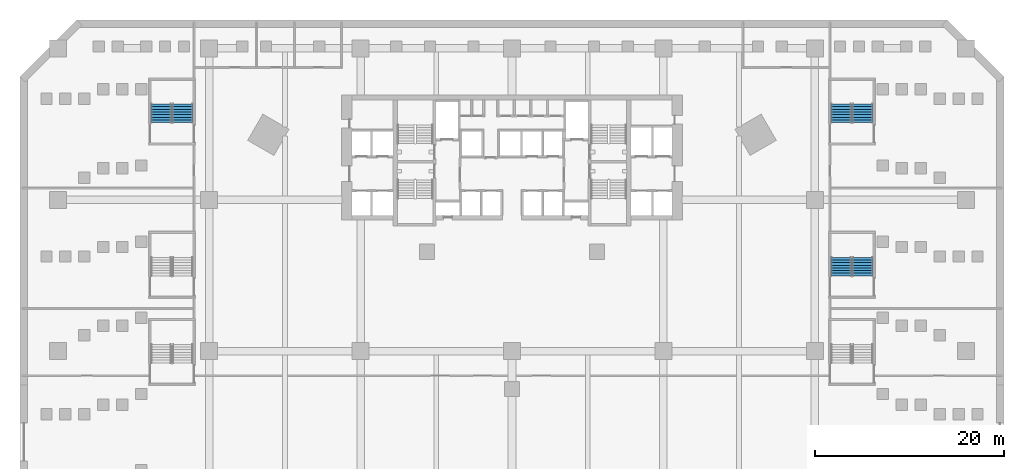
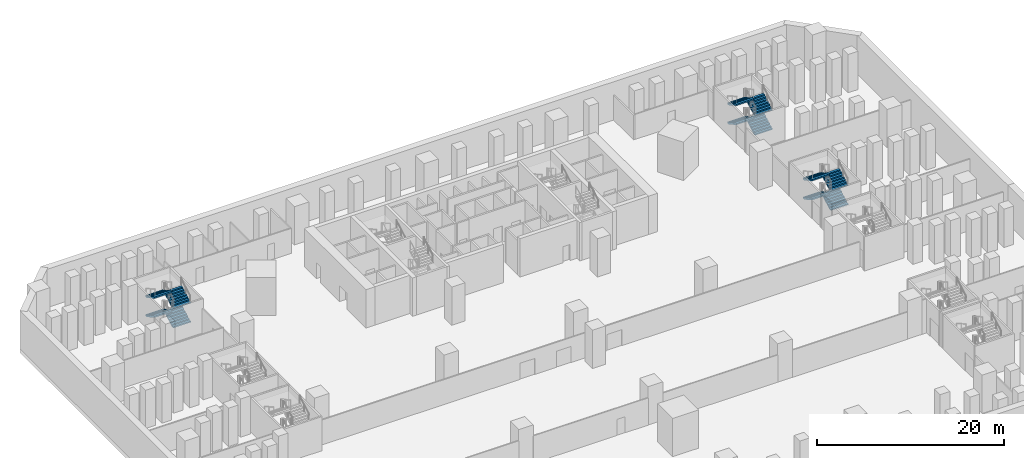
# One storey, part 17 of 24: 12 stair flights, 3 elements without a shape of their own.
"""IFC4 building model written with IfcOpenShell, lengths in metres."""

from ifc_helpers import new_model, si_unit, direction, frame, origin, place, context, subcontext, project, spatial, faceted_brep, source, transform, mapped, material, type_object, element, aggregate, save


model = new_model("IFC4")

# Units and contexts
model_context = context("Model", 3, precision=1e-05, world=origin(), true_north=direction((0.0, 1.0)))
body_context = subcontext(model_context, "Body", "Model", "MODEL_VIEW")
ifc_project = project(units=[si_unit("LENGTHUNIT", "METRE"), si_unit("AREAUNIT", "SQUARE_METRE"), si_unit("VOLUMEUNIT", "CUBIC_METRE"), si_unit("PLANEANGLEUNIT", "RADIAN"), si_unit("MASSUNIT", "GRAM", prefix="KILO")], contexts=[model_context])

# Site, building, storey
site_placement = place(None, origin())
site = spatial("IfcSite", under=ifc_project, at=site_placement, CompositionType="ELEMENT")
building_placement = place(site_placement, origin())
building = spatial("IfcBuilding", under=site, at=building_placement, Name="Calabash Gate Tower", CompositionType="ELEMENT")
storey_placement = place(building_placement, frame((0.0, 0.0, -5.0)))
storey = spatial("IfcBuildingStorey", under=building, at=storey_placement, Name="B1", CompositionType="ELEMENT", Elevation=-5.0)

# Stair, stair flights
ifc_material_1 = material(Name="Concrete C40/50", Category="concrete")
stair_type = type_object("IfcStairType", Name="Public stair 32 risers of 156.2 mm", PredefinedType="HALF_TURN_STAIR", material=ifc_material_1)
stair_1_placement = place(storey_placement, origin())
stair_1 = element("IfcStair", 1, at=stair_1_placement, inside=storey, type_object=stair_type, Name="B1 Public Stair PS5", PredefinedType="HALF_TURN_STAIR")
ifc_material_2 = material(Name="Concrete C40/50", Category="concrete")
stair_flight_type = type_object("IfcStairFlightType", Name="Exit stair flight SFL", PredefinedType="STRAIGHT", material=ifc_material_2)
shared_shape = source(origin(), body_context, "Body", "Brep", [
    faceted_brep([(-0.0009765625, -1.080078125, 0.0), (0.306884765625, -1.080078125, 0.0), (1.9541015625, -1.080078125, 0.921875), (-0.0009765625, 1.080078125, 0.0), (1.9541015625, 1.080078125, 0.921875), (0.306884765625, 1.080078125, 0.0), (1.9541015625, -1.080078125, 1.105712890625), (1.952880859375, -1.080078125, 1.105712890625), (1.952880859375, 1.080078125, 1.105712890625), (1.9541015625, 1.080078125, 1.105712890625), (1.952880859375, -1.080078125, 1.09375), (1.952880859375, 1.080078125, 1.09375), (1.674072265625, -1.080078125, 1.09375), (1.674072265625, 1.080078125, 1.09375), (1.674072265625, -1.080078125, 0.9375), (1.674072265625, 1.080078125, 0.9375), (1.39501953125, -1.080078125, 0.9375), (1.39501953125, 1.080078125, 0.9375), (1.39501953125, -1.080078125, 0.78125), (1.39501953125, 1.080078125, 0.78125), (1.115966796875, -1.080078125, 0.78125), (1.115966796875, -1.080078125, 0.625), (1.115966796875, 1.080078125, 0.625), (1.115966796875, 1.080078125, 0.78125), (0.8369140625, -1.080078125, 0.625), (0.8369140625, -1.080078125, 0.46875), (0.8369140625, 1.080078125, 0.46875), (0.8369140625, 1.080078125, 0.625), (0.55810546875, -1.080078125, 0.46875), (0.55810546875, -1.080078125, 0.3125), (0.55810546875, 1.080078125, 0.3125), (0.55810546875, 1.080078125, 0.46875), (0.279052734375, -1.080078125, 0.3125), (0.279052734375, -1.080078125, 0.15625), (0.279052734375, 1.080078125, 0.15625), (0.279052734375, 1.080078125, 0.3125), (-0.0009765625, -1.080078125, 0.15625), (-0.0009765625, 1.080078125, 0.15625), (0.306884765625, -0.431884765625, 0.0), (1.9541015625, -0.431884765625, 0.921875), (0.306884765625, -0.370361328125, 0.0), (1.9541015625, -0.370361328125, 0.921875), (0.306884765625, -0.30859375, 0.0), (1.9541015625, -0.30859375, 0.921875), (0.306884765625, -0.246826171875, 0.0), (1.9541015625, -0.246826171875, 0.921875), (0.306884765625, -0.18505859375, 0.0), (1.9541015625, -0.18505859375, 0.921875), (0.306884765625, -0.12353515625, 0.0), (1.9541015625, -0.12353515625, 0.921875), (0.306884765625, -0.061767578125, 0.0), (1.9541015625, -0.061767578125, 0.921875), (0.306884765625, 0.0, 0.0), (1.9541015625, 0.0, 0.921875), (0.306884765625, 0.061767578125, 0.0), (1.9541015625, 0.061767578125, 0.921875), (0.306884765625, 0.12353515625, 0.0), (1.9541015625, 0.12353515625, 0.921875), (0.306884765625, 0.18505859375, 0.0), (1.9541015625, 0.18505859375, 0.921875), (0.306884765625, 0.246826171875, 0.0), (1.9541015625, 0.246826171875, 0.921875), (0.306884765625, 0.30859375, 0.0), (1.9541015625, 0.30859375, 0.921875), (0.306884765625, 0.370361328125, 0.0), (1.9541015625, 0.370361328125, 0.921875), (0.306884765625, 0.431884765625, 0.0), (1.9541015625, 0.431884765625, 0.921875), (1.9541015625, -0.431884765625, 1.105712890625), (1.9541015625, -0.370361328125, 1.105712890625), (1.9541015625, -0.30859375, 1.105712890625), (1.9541015625, -0.246826171875, 1.105712890625), (1.9541015625, -0.18505859375, 1.105712890625), (1.9541015625, -0.12353515625, 1.105712890625), (1.9541015625, -0.061767578125, 1.105712890625), (1.9541015625, 0.0, 1.105712890625), (1.9541015625, 0.061767578125, 1.105712890625), (1.9541015625, 0.12353515625, 1.105712890625), (1.9541015625, 0.18505859375, 1.105712890625), (1.9541015625, 0.246826171875, 1.105712890625), (1.9541015625, 0.30859375, 1.105712890625), (1.9541015625, 0.370361328125, 1.105712890625), (1.9541015625, 0.431884765625, 1.105712890625), (1.952880859375, -0.431884765625, 1.105712890625), (1.952880859375, -0.370361328125, 1.105712890625), (1.952880859375, -0.30859375, 1.105712890625), (1.952880859375, -0.246826171875, 1.105712890625), (1.952880859375, -0.18505859375, 1.105712890625), (1.952880859375, -0.12353515625, 1.105712890625), (1.952880859375, -0.061767578125, 1.105712890625), (1.952880859375, 0.0, 1.105712890625), (1.952880859375, 0.061767578125, 1.105712890625), (1.952880859375, 0.12353515625, 1.105712890625), (1.952880859375, 0.18505859375, 1.105712890625), (1.952880859375, 0.246826171875, 1.105712890625), (1.952880859375, 0.30859375, 1.105712890625), (1.952880859375, 0.370361328125, 1.105712890625), (1.952880859375, 0.431884765625, 1.105712890625), (1.952880859375, -0.431884765625, 1.09375), (1.952880859375, -0.370361328125, 1.09375), (1.952880859375, -0.30859375, 1.09375), (1.952880859375, -0.246826171875, 1.09375), (1.952880859375, -0.18505859375, 1.09375), (1.952880859375, -0.12353515625, 1.09375), (1.952880859375, -0.061767578125, 1.09375), (1.952880859375, 0.0, 1.09375), (1.952880859375, 0.061767578125, 1.09375), (1.952880859375, 0.12353515625, 1.09375), (1.952880859375, 0.18505859375, 1.09375), (1.952880859375, 0.246826171875, 1.09375), (1.952880859375, 0.30859375, 1.09375), (1.952880859375, 0.370361328125, 1.09375), (1.952880859375, 0.431884765625, 1.09375), (1.674072265625, -0.431884765625, 1.09375), (1.674072265625, -0.370361328125, 1.09375), (1.674072265625, -0.30859375, 1.09375), (1.674072265625, -0.246826171875, 1.09375), (1.674072265625, -0.18505859375, 1.09375), (1.674072265625, -0.12353515625, 1.09375), (1.674072265625, -0.061767578125, 1.09375), (1.674072265625, 0.0, 1.09375), (1.674072265625, 0.061767578125, 1.09375), (1.674072265625, 0.12353515625, 1.09375), (1.674072265625, 0.18505859375, 1.09375), (1.674072265625, 0.246826171875, 1.09375), (1.674072265625, 0.30859375, 1.09375), (1.674072265625, 0.370361328125, 1.09375), (1.674072265625, 0.431884765625, 1.09375), (1.674072265625, -0.431884765625, 0.9375), (1.674072265625, -0.370361328125, 0.9375), (1.674072265625, -0.30859375, 0.9375), (1.674072265625, -0.246826171875, 0.9375), (1.674072265625, -0.18505859375, 0.9375), (1.674072265625, -0.12353515625, 0.9375), (1.674072265625, -0.061767578125, 0.9375), (1.674072265625, 0.0, 0.9375), (1.674072265625, 0.061767578125, 0.9375), (1.674072265625, 0.12353515625, 0.9375), (1.674072265625, 0.18505859375, 0.9375), (1.674072265625, 0.246826171875, 0.9375), (1.674072265625, 0.30859375, 0.9375), (1.674072265625, 0.370361328125, 0.9375), (1.674072265625, 0.431884765625, 0.9375), (1.39501953125, -0.431884765625, 0.9375), (1.39501953125, -0.370361328125, 0.9375), (1.39501953125, -0.30859375, 0.9375), (1.39501953125, -0.246826171875, 0.9375), (1.39501953125, -0.18505859375, 0.9375), (1.39501953125, -0.12353515625, 0.9375), (1.39501953125, -0.061767578125, 0.9375), (1.39501953125, 0.0, 0.9375), (1.39501953125, 0.061767578125, 0.9375), (1.39501953125, 0.12353515625, 0.9375), (1.39501953125, 0.18505859375, 0.9375), (1.39501953125, 0.246826171875, 0.9375), (1.39501953125, 0.30859375, 0.9375), (1.39501953125, 0.370361328125, 0.9375), (1.39501953125, 0.431884765625, 0.9375), (1.39501953125, -0.431884765625, 0.78125), (1.39501953125, -0.370361328125, 0.78125), (1.39501953125, -0.30859375, 0.78125), (1.39501953125, -0.246826171875, 0.78125), (1.39501953125, -0.18505859375, 0.78125), (1.39501953125, -0.12353515625, 0.78125), (1.39501953125, -0.061767578125, 0.78125), (1.39501953125, 0.0, 0.78125), (1.39501953125, 0.061767578125, 0.78125), (1.39501953125, 0.12353515625, 0.78125), (1.39501953125, 0.18505859375, 0.78125), (1.39501953125, 0.246826171875, 0.78125), (1.39501953125, 0.30859375, 0.78125), (1.39501953125, 0.370361328125, 0.78125), (1.39501953125, 0.431884765625, 0.78125), (1.115966796875, -0.431884765625, 0.78125), (1.115966796875, -0.370361328125, 0.78125), (1.115966796875, -0.30859375, 0.78125), (1.115966796875, -0.246826171875, 0.78125), (1.115966796875, -0.18505859375, 0.78125), (1.115966796875, -0.12353515625, 0.78125), (1.115966796875, -0.061767578125, 0.78125), (1.115966796875, 0.0, 0.78125), (1.115966796875, 0.061767578125, 0.78125), (1.115966796875, 0.12353515625, 0.78125), (1.115966796875, 0.18505859375, 0.78125), (1.115966796875, 0.246826171875, 0.78125), (1.115966796875, 0.30859375, 0.78125), (1.115966796875, 0.370361328125, 0.78125), (1.115966796875, 0.431884765625, 0.78125), (1.115966796875, -0.431884765625, 0.625), (1.115966796875, -0.370361328125, 0.625), (1.115966796875, -0.30859375, 0.625), (1.115966796875, -0.246826171875, 0.625), (1.115966796875, -0.18505859375, 0.625), (1.115966796875, -0.12353515625, 0.625), (1.115966796875, -0.061767578125, 0.625), (1.115966796875, 0.0, 0.625), (1.115966796875, 0.061767578125, 0.625), (1.115966796875, 0.12353515625, 0.625), (1.115966796875, 0.18505859375, 0.625), (1.115966796875, 0.246826171875, 0.625), (1.115966796875, 0.30859375, 0.625), (1.115966796875, 0.370361328125, 0.625), (1.115966796875, 0.431884765625, 0.625), (0.8369140625, -0.431884765625, 0.625), (0.8369140625, -0.370361328125, 0.625), (0.8369140625, -0.30859375, 0.625), (0.8369140625, -0.246826171875, 0.625), (0.8369140625, -0.18505859375, 0.625), (0.8369140625, -0.12353515625, 0.625), (0.8369140625, -0.061767578125, 0.625), (0.8369140625, 0.0, 0.625), (0.8369140625, 0.061767578125, 0.625), (0.8369140625, 0.12353515625, 0.625), (0.8369140625, 0.18505859375, 0.625), (0.8369140625, 0.246826171875, 0.625), (0.8369140625, 0.30859375, 0.625), (0.8369140625, 0.370361328125, 0.625), (0.8369140625, 0.431884765625, 0.625), (0.8369140625, -0.431884765625, 0.46875), (0.8369140625, -0.370361328125, 0.46875), (0.8369140625, -0.30859375, 0.46875), (0.8369140625, -0.246826171875, 0.46875), (0.8369140625, -0.18505859375, 0.46875), (0.8369140625, -0.12353515625, 0.46875), (0.8369140625, -0.061767578125, 0.46875), (0.8369140625, 0.0, 0.46875), (0.8369140625, 0.061767578125, 0.46875), (0.8369140625, 0.12353515625, 0.46875), (0.8369140625, 0.18505859375, 0.46875), (0.8369140625, 0.246826171875, 0.46875), (0.8369140625, 0.30859375, 0.46875), (0.8369140625, 0.370361328125, 0.46875), (0.8369140625, 0.431884765625, 0.46875), (0.55810546875, -0.431884765625, 0.46875), (0.55810546875, -0.370361328125, 0.46875), (0.55810546875, -0.30859375, 0.46875), (0.55810546875, -0.246826171875, 0.46875), (0.55810546875, -0.18505859375, 0.46875), (0.55810546875, -0.12353515625, 0.46875), (0.55810546875, -0.061767578125, 0.46875), (0.55810546875, 0.0, 0.46875), (0.55810546875, 0.061767578125, 0.46875), (0.55810546875, 0.12353515625, 0.46875), (0.55810546875, 0.18505859375, 0.46875), (0.55810546875, 0.246826171875, 0.46875), (0.55810546875, 0.30859375, 0.46875), (0.55810546875, 0.370361328125, 0.46875), (0.55810546875, 0.431884765625, 0.46875), (0.55810546875, -0.431884765625, 0.3125), (0.55810546875, -0.370361328125, 0.3125), (0.55810546875, -0.30859375, 0.3125), (0.55810546875, -0.246826171875, 0.3125), (0.55810546875, -0.18505859375, 0.3125), (0.55810546875, -0.12353515625, 0.3125), (0.55810546875, -0.061767578125, 0.3125), (0.55810546875, 0.0, 0.3125), (0.55810546875, 0.061767578125, 0.3125), (0.55810546875, 0.12353515625, 0.3125), (0.55810546875, 0.18505859375, 0.3125), (0.55810546875, 0.246826171875, 0.3125), (0.55810546875, 0.30859375, 0.3125), (0.55810546875, 0.370361328125, 0.3125), (0.55810546875, 0.431884765625, 0.3125), (0.279052734375, -0.431884765625, 0.3125), (0.279052734375, -0.370361328125, 0.3125), (0.279052734375, -0.30859375, 0.3125), (0.279052734375, -0.246826171875, 0.3125), (0.279052734375, -0.18505859375, 0.3125), (0.279052734375, -0.12353515625, 0.3125), (0.279052734375, -0.061767578125, 0.3125), (0.279052734375, 0.0, 0.3125), (0.279052734375, 0.061767578125, 0.3125), (0.279052734375, 0.12353515625, 0.3125), (0.279052734375, 0.18505859375, 0.3125), (0.279052734375, 0.246826171875, 0.3125), (0.279052734375, 0.30859375, 0.3125), (0.279052734375, 0.370361328125, 0.3125), (0.279052734375, 0.431884765625, 0.3125), (0.279052734375, -0.431884765625, 0.15625), (0.279052734375, -0.370361328125, 0.15625), (0.279052734375, -0.30859375, 0.15625), (0.279052734375, -0.246826171875, 0.15625), (0.279052734375, -0.18505859375, 0.15625), (0.279052734375, -0.12353515625, 0.15625), (0.279052734375, -0.061767578125, 0.15625), (0.279052734375, 0.0, 0.15625), (0.279052734375, 0.061767578125, 0.15625), (0.279052734375, 0.12353515625, 0.15625), (0.279052734375, 0.18505859375, 0.15625), (0.279052734375, 0.246826171875, 0.15625), (0.279052734375, 0.30859375, 0.15625), (0.279052734375, 0.370361328125, 0.15625), (0.279052734375, 0.431884765625, 0.15625), (-0.0009765625, -0.431884765625, 0.15625), (-0.0009765625, -0.370361328125, 0.15625), (-0.0009765625, -0.30859375, 0.15625), (-0.0009765625, -0.246826171875, 0.15625), (-0.0009765625, -0.18505859375, 0.15625), (-0.0009765625, -0.12353515625, 0.15625), (-0.0009765625, -0.061767578125, 0.15625), (-0.0009765625, 0.0, 0.15625), (-0.0009765625, 0.061767578125, 0.15625), (-0.0009765625, 0.12353515625, 0.15625), (-0.0009765625, 0.18505859375, 0.15625), (-0.0009765625, 0.246826171875, 0.15625), (-0.0009765625, 0.30859375, 0.15625), (-0.0009765625, 0.370361328125, 0.15625), (-0.0009765625, 0.431884765625, 0.15625), (-0.0009765625, -0.431884765625, 0.0), (-0.0009765625, -0.370361328125, 0.0), (-0.0009765625, -0.30859375, 0.0), (-0.0009765625, -0.246826171875, 0.0), (-0.0009765625, -0.18505859375, 0.0), (-0.0009765625, -0.12353515625, 0.0), (-0.0009765625, -0.061767578125, 0.0), (-0.0009765625, 0.0, 0.0), (-0.0009765625, 0.061767578125, 0.0), (-0.0009765625, 0.12353515625, 0.0), (-0.0009765625, 0.18505859375, 0.0), (-0.0009765625, 0.246826171875, 0.0), (-0.0009765625, 0.30859375, 0.0), (-0.0009765625, 0.370361328125, 0.0), (-0.0009765625, 0.431884765625, 0.0)], [[[0, 1, 2]], [[3, 4, 5]], [[2, 6, 7]], [[4, 8, 9]], [[2, 7, 10]], [[4, 11, 8]], [[2, 10, 12]], [[4, 13, 11]], [[2, 12, 14]], [[4, 15, 13]], [[2, 14, 16]], [[4, 17, 15]], [[2, 16, 18]], [[4, 19, 17]], [[18, 20, 21]], [[19, 22, 23]], [[2, 18, 21]], [[4, 22, 19]], [[21, 24, 25]], [[22, 26, 27]], [[2, 21, 25]], [[4, 26, 22]], [[25, 28, 29]], [[26, 30, 31]], [[2, 25, 29]], [[4, 30, 26]], [[29, 32, 33]], [[30, 34, 35]], [[2, 29, 33]], [[4, 34, 30]], [[0, 2, 33]], [[3, 34, 4]], [[33, 36, 0]], [[34, 3, 37]], [[1, 38, 2]], [[38, 39, 2]], [[38, 40, 39]], [[40, 41, 39]], [[40, 42, 41]], [[42, 43, 41]], [[42, 44, 43]], [[44, 45, 43]], [[44, 46, 45]], [[46, 47, 45]], [[46, 48, 47]], [[48, 49, 47]], [[48, 50, 49]], [[50, 51, 49]], [[50, 52, 51]], [[52, 53, 51]], [[52, 54, 55]], [[52, 55, 53]], [[54, 56, 57]], [[54, 57, 55]], [[56, 58, 59]], [[56, 59, 57]], [[58, 60, 61]], [[58, 61, 59]], [[60, 62, 63]], [[60, 63, 61]], [[62, 64, 65]], [[62, 65, 63]], [[64, 66, 67]], [[64, 67, 65]], [[66, 5, 4]], [[66, 4, 67]], [[2, 39, 6]], [[39, 68, 6]], [[39, 41, 68]], [[41, 69, 68]], [[41, 43, 69]], [[43, 70, 69]], [[43, 45, 70]], [[45, 71, 70]], [[45, 47, 71]], [[47, 72, 71]], [[47, 49, 72]], [[49, 73, 72]], [[49, 51, 73]], [[51, 74, 73]], [[51, 53, 74]], [[53, 75, 74]], [[53, 55, 76]], [[53, 76, 75]], [[55, 57, 77]], [[55, 77, 76]], [[57, 59, 78]], [[57, 78, 77]], [[59, 61, 79]], [[59, 79, 78]], [[61, 63, 80]], [[61, 80, 79]], [[63, 65, 81]], [[63, 81, 80]], [[65, 67, 82]], [[65, 82, 81]], [[67, 4, 9]], [[67, 9, 82]], [[6, 68, 7]], [[68, 83, 7]], [[68, 69, 83]], [[69, 84, 83]], [[69, 70, 84]], [[70, 85, 84]], [[70, 71, 85]], [[71, 86, 85]], [[71, 72, 86]], [[72, 87, 86]], [[72, 73, 87]], [[73, 88, 87]], [[73, 74, 88]], [[74, 89, 88]], [[74, 75, 89]], [[75, 90, 89]], [[75, 76, 91]], [[75, 91, 90]], [[76, 77, 92]], [[76, 92, 91]], [[77, 78, 93]], [[77, 93, 92]], [[78, 79, 94]], [[78, 94, 93]], [[79, 80, 95]], [[79, 95, 94]], [[80, 81, 96]], [[80, 96, 95]], [[81, 82, 97]], [[81, 97, 96]], [[82, 9, 8]], [[82, 8, 97]], [[7, 83, 10]], [[83, 98, 10]], [[83, 84, 98]], [[84, 99, 98]], [[84, 85, 99]], [[85, 100, 99]], [[85, 86, 100]], [[86, 101, 100]], [[86, 87, 101]], [[87, 102, 101]], [[87, 88, 102]], [[88, 103, 102]], [[88, 89, 103]], [[89, 104, 103]], [[89, 90, 104]], [[90, 105, 104]], [[90, 91, 106]], [[90, 106, 105]], [[91, 92, 107]], [[91, 107, 106]], [[92, 93, 108]], [[92, 108, 107]], [[93, 94, 109]], [[93, 109, 108]], [[94, 95, 110]], [[94, 110, 109]], [[95, 96, 111]], [[95, 111, 110]], [[96, 97, 112]], [[96, 112, 111]], [[97, 8, 11]], [[97, 11, 112]], [[10, 98, 12]], [[98, 113, 12]], [[98, 99, 113]], [[99, 114, 113]], [[99, 100, 114]], [[100, 115, 114]], [[100, 101, 115]], [[101, 116, 115]], [[101, 102, 116]], [[102, 117, 116]], [[102, 103, 117]], [[103, 118, 117]], [[103, 104, 118]], [[104, 119, 118]], [[104, 105, 119]], [[105, 120, 119]], [[105, 106, 121]], [[105, 121, 120]], [[106, 107, 122]], [[106, 122, 121]], [[107, 108, 123]], [[107, 123, 122]], [[108, 109, 124]], [[108, 124, 123]], [[109, 110, 125]], [[109, 125, 124]], [[110, 111, 126]], [[110, 126, 125]], [[111, 112, 127]], [[111, 127, 126]], [[112, 11, 13]], [[112, 13, 127]], [[12, 113, 14]], [[113, 128, 14]], [[113, 114, 128]], [[114, 129, 128]], [[114, 115, 129]], [[115, 130, 129]], [[115, 116, 130]], [[116, 131, 130]], [[116, 117, 131]], [[117, 132, 131]], [[117, 118, 132]], [[118, 133, 132]], [[118, 119, 133]], [[119, 134, 133]], [[119, 120, 134]], [[120, 135, 134]], [[120, 121, 136]], [[120, 136, 135]], [[121, 122, 137]], [[121, 137, 136]], [[122, 123, 138]], [[122, 138, 137]], [[123, 124, 139]], [[123, 139, 138]], [[124, 125, 140]], [[124, 140, 139]], [[125, 126, 141]], [[125, 141, 140]], [[126, 127, 142]], [[126, 142, 141]], [[127, 13, 15]], [[127, 15, 142]], [[14, 128, 16]], [[128, 143, 16]], [[128, 129, 143]], [[129, 144, 143]], [[129, 130, 144]], [[130, 145, 144]], [[130, 131, 145]], [[131, 146, 145]], [[131, 132, 146]], [[132, 147, 146]], [[132, 133, 147]], [[133, 148, 147]], [[133, 134, 148]], [[134, 149, 148]], [[134, 135, 149]], [[135, 150, 149]], [[135, 136, 151]], [[135, 151, 150]], [[136, 137, 152]], [[136, 152, 151]], [[137, 138, 153]], [[137, 153, 152]], [[138, 139, 154]], [[138, 154, 153]], [[139, 140, 155]], [[139, 155, 154]], [[140, 141, 156]], [[140, 156, 155]], [[141, 142, 157]], [[141, 157, 156]], [[142, 15, 17]], [[142, 17, 157]], [[16, 143, 18]], [[143, 158, 18]], [[143, 144, 158]], [[144, 159, 158]], [[144, 145, 159]], [[145, 160, 159]], [[145, 146, 160]], [[146, 161, 160]], [[146, 147, 161]], [[147, 162, 161]], [[147, 148, 162]], [[148, 163, 162]], [[148, 149, 163]], [[149, 164, 163]], [[149, 150, 164]], [[150, 165, 164]], [[150, 151, 166]], [[150, 166, 165]], [[151, 152, 167]], [[151, 167, 166]], [[152, 153, 168]], [[152, 168, 167]], [[153, 154, 169]], [[153, 169, 168]], [[154, 155, 170]], [[154, 170, 169]], [[155, 156, 171]], [[155, 171, 170]], [[156, 157, 172]], [[156, 172, 171]], [[157, 17, 19]], [[157, 19, 172]], [[18, 158, 20]], [[158, 173, 20]], [[158, 159, 173]], [[159, 174, 173]], [[159, 160, 174]], [[160, 175, 174]], [[160, 161, 175]], [[161, 176, 175]], [[161, 162, 176]], [[162, 177, 176]], [[162, 163, 177]], [[163, 178, 177]], [[163, 164, 178]], [[164, 179, 178]], [[164, 165, 179]], [[165, 180, 179]], [[165, 166, 181]], [[165, 181, 180]], [[166, 167, 182]], [[166, 182, 181]], [[167, 168, 183]], [[167, 183, 182]], [[168, 169, 184]], [[168, 184, 183]], [[169, 170, 185]], [[169, 185, 184]], [[170, 171, 186]], [[170, 186, 185]], [[171, 172, 187]], [[171, 187, 186]], [[172, 19, 23]], [[172, 23, 187]], [[20, 173, 21]], [[173, 188, 21]], [[173, 174, 188]], [[174, 189, 188]], [[174, 175, 189]], [[175, 190, 189]], [[175, 176, 190]], [[176, 191, 190]], [[176, 177, 191]], [[177, 192, 191]], [[177, 178, 192]], [[178, 193, 192]], [[178, 179, 193]], [[179, 194, 193]], [[179, 180, 194]], [[180, 195, 194]], [[180, 181, 196]], [[180, 196, 195]], [[181, 182, 197]], [[181, 197, 196]], [[182, 183, 198]], [[182, 198, 197]], [[183, 184, 199]], [[183, 199, 198]], [[184, 185, 200]], [[184, 200, 199]], [[185, 186, 201]], [[185, 201, 200]], [[186, 187, 202]], [[186, 202, 201]], [[187, 23, 22]], [[187, 22, 202]], [[21, 188, 24]], [[188, 203, 24]], [[188, 189, 203]], [[189, 204, 203]], [[189, 190, 204]], [[190, 205, 204]], [[190, 191, 205]], [[191, 206, 205]], [[191, 192, 206]], [[192, 207, 206]], [[192, 193, 207]], [[193, 208, 207]], [[193, 194, 208]], [[194, 209, 208]], [[194, 195, 209]], [[195, 210, 209]], [[195, 196, 211]], [[195, 211, 210]], [[196, 197, 212]], [[196, 212, 211]], [[197, 198, 213]], [[197, 213, 212]], [[198, 199, 214]], [[198, 214, 213]], [[199, 200, 215]], [[199, 215, 214]], [[200, 201, 216]], [[200, 216, 215]], [[201, 202, 217]], [[201, 217, 216]], [[202, 22, 27]], [[202, 27, 217]], [[24, 203, 25]], [[203, 218, 25]], [[203, 204, 218]], [[204, 219, 218]], [[204, 205, 219]], [[205, 220, 219]], [[205, 206, 220]], [[206, 221, 220]], [[206, 207, 221]], [[207, 222, 221]], [[207, 208, 222]], [[208, 223, 222]], [[208, 209, 223]], [[209, 224, 223]], [[209, 210, 224]], [[210, 225, 224]], [[210, 211, 226]], [[210, 226, 225]], [[211, 212, 227]], [[211, 227, 226]], [[212, 213, 228]], [[212, 228, 227]], [[213, 214, 229]], [[213, 229, 228]], [[214, 215, 230]], [[214, 230, 229]], [[215, 216, 231]], [[215, 231, 230]], [[216, 217, 232]], [[216, 232, 231]], [[217, 27, 26]], [[217, 26, 232]], [[25, 218, 28]], [[218, 233, 28]], [[218, 219, 233]], [[219, 234, 233]], [[219, 220, 234]], [[220, 235, 234]], [[220, 221, 235]], [[221, 236, 235]], [[221, 222, 236]], [[222, 237, 236]], [[222, 223, 237]], [[223, 238, 237]], [[223, 224, 238]], [[224, 239, 238]], [[224, 225, 239]], [[225, 240, 239]], [[225, 226, 241]], [[225, 241, 240]], [[226, 227, 242]], [[226, 242, 241]], [[227, 228, 243]], [[227, 243, 242]], [[228, 229, 244]], [[228, 244, 243]], [[229, 230, 245]], [[229, 245, 244]], [[230, 231, 246]], [[230, 246, 245]], [[231, 232, 247]], [[231, 247, 246]], [[232, 26, 31]], [[232, 31, 247]], [[28, 233, 29]], [[233, 248, 29]], [[233, 234, 248]], [[234, 249, 248]], [[234, 235, 249]], [[235, 250, 249]], [[235, 236, 250]], [[236, 251, 250]], [[236, 237, 251]], [[237, 252, 251]], [[237, 238, 252]], [[238, 253, 252]], [[238, 239, 253]], [[239, 254, 253]], [[239, 240, 254]], [[240, 255, 254]], [[240, 241, 256]], [[240, 256, 255]], [[241, 242, 257]], [[241, 257, 256]], [[242, 243, 258]], [[242, 258, 257]], [[243, 244, 259]], [[243, 259, 258]], [[244, 245, 260]], [[244, 260, 259]], [[245, 246, 261]], [[245, 261, 260]], [[246, 247, 262]], [[246, 262, 261]], [[247, 31, 30]], [[247, 30, 262]], [[29, 248, 32]], [[248, 263, 32]], [[248, 249, 263]], [[249, 264, 263]], [[249, 250, 264]], [[250, 265, 264]], [[250, 251, 265]], [[251, 266, 265]], [[251, 252, 266]], [[252, 267, 266]], [[252, 253, 267]], [[253, 268, 267]], [[253, 254, 268]], [[254, 269, 268]], [[254, 255, 269]], [[255, 270, 269]], [[255, 256, 271]], [[255, 271, 270]], [[256, 257, 272]], [[256, 272, 271]], [[257, 258, 273]], [[257, 273, 272]], [[258, 259, 274]], [[258, 274, 273]], [[259, 260, 275]], [[259, 275, 274]], [[260, 261, 276]], [[260, 276, 275]], [[261, 262, 277]], [[261, 277, 276]], [[262, 30, 35]], [[262, 35, 277]], [[32, 263, 33]], [[263, 278, 33]], [[263, 264, 278]], [[264, 279, 278]], [[264, 265, 279]], [[265, 280, 279]], [[265, 266, 280]], [[266, 281, 280]], [[266, 267, 281]], [[267, 282, 281]], [[267, 268, 282]], [[268, 283, 282]], [[268, 269, 283]], [[269, 284, 283]], [[269, 270, 284]], [[270, 285, 284]], [[270, 271, 286]], [[270, 286, 285]], [[271, 272, 287]], [[271, 287, 286]], [[272, 273, 288]], [[272, 288, 287]], [[273, 274, 289]], [[273, 289, 288]], [[274, 275, 290]], [[274, 290, 289]], [[275, 276, 291]], [[275, 291, 290]], [[276, 277, 292]], [[276, 292, 291]], [[277, 35, 34]], [[277, 34, 292]], [[33, 278, 36]], [[278, 293, 36]], [[278, 279, 293]], [[279, 294, 293]], [[279, 280, 294]], [[280, 295, 294]], [[280, 281, 295]], [[281, 296, 295]], [[281, 282, 296]], [[282, 297, 296]], [[282, 283, 297]], [[283, 298, 297]], [[283, 284, 298]], [[284, 299, 298]], [[284, 285, 299]], [[285, 300, 299]], [[285, 286, 301]], [[285, 301, 300]], [[286, 287, 302]], [[286, 302, 301]], [[287, 288, 303]], [[287, 303, 302]], [[288, 289, 304]], [[288, 304, 303]], [[289, 290, 305]], [[289, 305, 304]], [[290, 291, 306]], [[290, 306, 305]], [[291, 292, 307]], [[291, 307, 306]], [[292, 34, 37]], [[292, 37, 307]], [[36, 293, 0]], [[293, 308, 0]], [[293, 294, 308]], [[294, 309, 308]], [[294, 295, 309]], [[295, 310, 309]], [[295, 296, 310]], [[296, 311, 310]], [[296, 297, 311]], [[297, 312, 311]], [[297, 298, 312]], [[298, 313, 312]], [[298, 299, 313]], [[299, 314, 313]], [[299, 300, 314]], [[300, 315, 314]], [[300, 301, 316]], [[300, 316, 315]], [[301, 302, 317]], [[301, 317, 316]], [[302, 303, 318]], [[302, 318, 317]], [[303, 304, 319]], [[303, 319, 318]], [[304, 305, 320]], [[304, 320, 319]], [[305, 306, 321]], [[305, 321, 320]], [[306, 307, 322]], [[306, 322, 321]], [[307, 37, 3]], [[307, 3, 322]], [[0, 308, 1]], [[308, 38, 1]], [[308, 309, 38]], [[309, 40, 38]], [[309, 310, 40]], [[310, 42, 40]], [[310, 311, 42]], [[311, 44, 42]], [[311, 312, 44]], [[312, 46, 44]], [[312, 313, 46]], [[313, 48, 46]], [[313, 314, 48]], [[314, 50, 48]], [[314, 315, 50]], [[315, 52, 50]], [[315, 316, 54]], [[315, 54, 52]], [[316, 317, 56]], [[316, 56, 54]], [[317, 318, 58]], [[317, 58, 56]], [[318, 319, 60]], [[318, 60, 58]], [[319, 320, 62]], [[319, 62, 60]], [[320, 321, 64]], [[320, 64, 62]], [[321, 322, 66]], [[321, 66, 64]], [[322, 3, 5]], [[322, 5, 66]]]),
])
stair_flight_1_placement = place(storey_placement, frame((-34.780029296875, 16.159912109375, 0.0), z_axis=(0.0, 0.0, 1.0), x_axis=(0.0, 1.0, 0.0)))
stair_flight_1 = element("IfcStairFlight", 2, at=stair_flight_1_placement, type_object=stair_flight_type, Name="PS5 flight 1", NumberOfRisers=8, NumberOfTreads=7, PredefinedType="STRAIGHT", RiserHeight=0.15625, TreadLength=0.279, context=body_context, shape_type="MappedRepresentation", body=[
    mapped(shared_shape, transform((0.0, 0.0, 0.0), scale=1.0)),
])
stair_flight_2_placement = place(storey_placement, frame((-37.090087890625, 18.113037109375, 1.25), z_axis=(0.0, 0.0, 1.0), x_axis=(0.0, -1.0, 0.0)))
stair_flight_2 = element("IfcStairFlight", 3, at=stair_flight_2_placement, type_object=stair_flight_type, Name="PS5 flight 2", NumberOfRisers=8, NumberOfTreads=7, PredefinedType="STRAIGHT", RiserHeight=0.15625, TreadLength=0.279, context=body_context, shape_type="MappedRepresentation", body=[
    mapped(shared_shape, transform((0.0, 0.0, 0.0), scale=1.0)),
])
stair_flight_3_placement = place(storey_placement, frame((-34.780029296875, 16.159912109375, 2.5), z_axis=(0.0, 0.0, 1.0), x_axis=(0.0, 1.0, 0.0)))
stair_flight_3 = element("IfcStairFlight", 4, at=stair_flight_3_placement, type_object=stair_flight_type, Name="PS5 flight 3", NumberOfRisers=8, NumberOfTreads=7, PredefinedType="STRAIGHT", RiserHeight=0.15625, TreadLength=0.279, context=body_context, shape_type="MappedRepresentation", body=[
    mapped(shared_shape, transform((0.0, 0.0, 0.0), scale=1.0)),
])
stair_flight_4_placement = place(storey_placement, frame((-37.090087890625, 18.113037109375, 3.75), z_axis=(0.0, 0.0, 1.0), x_axis=(0.0, -1.0, 0.0)))
stair_flight_4 = element("IfcStairFlight", 5, at=stair_flight_4_placement, type_object=stair_flight_type, Name="PS5 flight 4", NumberOfRisers=8, NumberOfTreads=7, PredefinedType="STRAIGHT", RiserHeight=0.15625, TreadLength=0.279, context=body_context, shape_type="MappedRepresentation", body=[
    mapped(shared_shape, transform((0.0, 0.0, 0.0), scale=1.0)),
])
aggregate(stair_1, [stair_flight_1, stair_flight_2, stair_flight_3, stair_flight_4])

stair_2_placement = place(storey_placement, origin())
stair_2 = element("IfcStair", 6, at=stair_2_placement, inside=storey, type_object=stair_type, Name="B1 Public Stair PS9", PredefinedType="HALF_TURN_STAIR")
stair_flight_5_placement = place(storey_placement, frame((37.090087890625, -0.0400390625, 0.0), z_axis=(0.0, 0.0, 1.0), x_axis=(0.0, 1.0, 0.0)))
stair_flight_5 = element("IfcStairFlight", 7, at=stair_flight_5_placement, type_object=stair_flight_type, Name="PS9 flight 1", NumberOfRisers=8, NumberOfTreads=7, PredefinedType="STRAIGHT", RiserHeight=0.15625, TreadLength=0.279, context=body_context, shape_type="MappedRepresentation", body=[
    mapped(shared_shape, transform((0.0, 0.0, 0.0), scale=1.0)),
])
stair_flight_6_placement = place(storey_placement, frame((34.780029296875, 1.9130859375, 1.25), z_axis=(0.0, 0.0, 1.0), x_axis=(0.0, -1.0, 0.0)))
stair_flight_6 = element("IfcStairFlight", 8, at=stair_flight_6_placement, type_object=stair_flight_type, Name="PS9 flight 2", NumberOfRisers=8, NumberOfTreads=7, PredefinedType="STRAIGHT", RiserHeight=0.15625, TreadLength=0.279, context=body_context, shape_type="MappedRepresentation", body=[
    mapped(shared_shape, transform((0.0, 0.0, 0.0), scale=1.0)),
])
stair_flight_7_placement = place(storey_placement, frame((37.090087890625, -0.0400390625, 2.5), z_axis=(0.0, 0.0, 1.0), x_axis=(0.0, 1.0, 0.0)))
stair_flight_7 = element("IfcStairFlight", 9, at=stair_flight_7_placement, type_object=stair_flight_type, Name="PS9 flight 3", NumberOfRisers=8, NumberOfTreads=7, PredefinedType="STRAIGHT", RiserHeight=0.15625, TreadLength=0.279, context=body_context, shape_type="MappedRepresentation", body=[
    mapped(shared_shape, transform((0.0, 0.0, 0.0), scale=1.0)),
])
stair_flight_8_placement = place(storey_placement, frame((34.780029296875, 1.9130859375, 3.75), z_axis=(0.0, 0.0, 1.0), x_axis=(0.0, -1.0, 0.0)))
stair_flight_8 = element("IfcStairFlight", 10, at=stair_flight_8_placement, type_object=stair_flight_type, Name="PS9 flight 4", NumberOfRisers=8, NumberOfTreads=7, PredefinedType="STRAIGHT", RiserHeight=0.15625, TreadLength=0.279, context=body_context, shape_type="MappedRepresentation", body=[
    mapped(shared_shape, transform((0.0, 0.0, 0.0), scale=1.0)),
])
aggregate(stair_2, [stair_flight_5, stair_flight_6, stair_flight_7, stair_flight_8])

stair_3_placement = place(storey_placement, origin())
stair_3 = element("IfcStair", 11, at=stair_3_placement, inside=storey, type_object=stair_type, Name="B1 Public Stair PS10", PredefinedType="HALF_TURN_STAIR")
stair_flight_9_placement = place(storey_placement, frame((37.090087890625, 16.159912109375, 0.0), z_axis=(0.0, 0.0, 1.0), x_axis=(0.0, 1.0, 0.0)))
stair_flight_9 = element("IfcStairFlight", 12, at=stair_flight_9_placement, type_object=stair_flight_type, Name="PS10 flight 1", NumberOfRisers=8, NumberOfTreads=7, PredefinedType="STRAIGHT", RiserHeight=0.15625, TreadLength=0.279, context=body_context, shape_type="MappedRepresentation", body=[
    mapped(shared_shape, transform((0.0, 0.0, 0.0), scale=1.0)),
])
stair_flight_10_placement = place(storey_placement, frame((34.780029296875, 18.113037109375, 1.25), z_axis=(0.0, 0.0, 1.0), x_axis=(0.0, -1.0, 0.0)))
stair_flight_10 = element("IfcStairFlight", 13, at=stair_flight_10_placement, type_object=stair_flight_type, Name="PS10 flight 2", NumberOfRisers=8, NumberOfTreads=7, PredefinedType="STRAIGHT", RiserHeight=0.15625, TreadLength=0.279, context=body_context, shape_type="MappedRepresentation", body=[
    mapped(shared_shape, transform((0.0, 0.0, 0.0), scale=1.0)),
])
stair_flight_11_placement = place(storey_placement, frame((37.090087890625, 16.159912109375, 2.5), z_axis=(0.0, 0.0, 1.0), x_axis=(0.0, 1.0, 0.0)))
stair_flight_11 = element("IfcStairFlight", 14, at=stair_flight_11_placement, type_object=stair_flight_type, Name="PS10 flight 3", NumberOfRisers=8, NumberOfTreads=7, PredefinedType="STRAIGHT", RiserHeight=0.15625, TreadLength=0.279, context=body_context, shape_type="MappedRepresentation", body=[
    mapped(shared_shape, transform((0.0, 0.0, 0.0), scale=1.0)),
])
stair_flight_12_placement = place(storey_placement, frame((34.780029296875, 18.113037109375, 3.75), z_axis=(0.0, 0.0, 1.0), x_axis=(0.0, -1.0, 0.0)))
stair_flight_12 = element("IfcStairFlight", 15, at=stair_flight_12_placement, type_object=stair_flight_type, Name="PS10 flight 4", NumberOfRisers=8, NumberOfTreads=7, PredefinedType="STRAIGHT", RiserHeight=0.15625, TreadLength=0.279, context=body_context, shape_type="MappedRepresentation", body=[
    mapped(shared_shape, transform((0.0, 0.0, 0.0), scale=1.0)),
])
aggregate(stair_3, [stair_flight_9, stair_flight_10, stair_flight_11, stair_flight_12])

save(model, "model.ifc")
